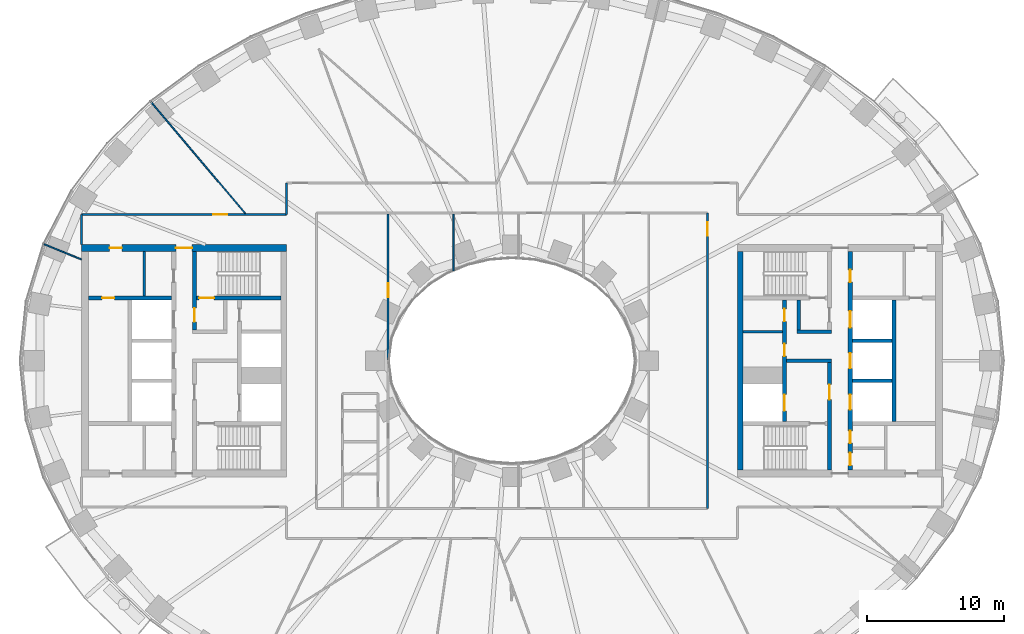
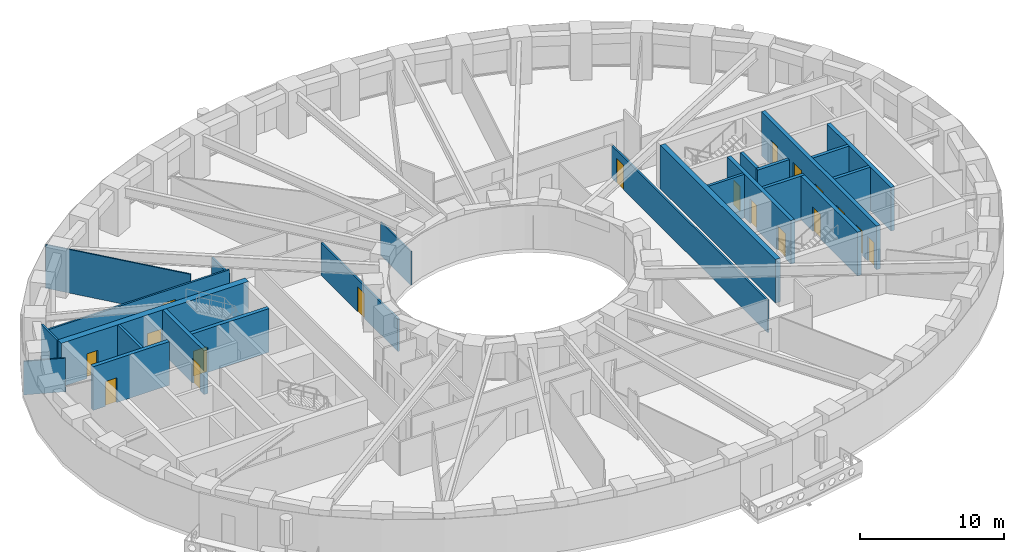
# One storey, part 5 of 16: 24 walls, 18 doors, 18 openings.
"""IFC4 building model written with IfcOpenShell, lengths in metres."""

from ifc_helpers import new_model, si_unit, direction, frame, frame_2d, origin, place, context, subcontext, project, spatial, rectangle, extrude, material, layer, layer_set, type_object, element, fill, save


model = new_model("IFC4")

# Units and contexts
model_context = context("Model", 3, precision=1e-05, world=origin(), true_north=direction((0.0, 1.0)))
body_context = subcontext(model_context, "Body", "Model", "MODEL_VIEW")
ifc_project = project(units=[si_unit("LENGTHUNIT", "METRE"), si_unit("AREAUNIT", "SQUARE_METRE"), si_unit("VOLUMEUNIT", "CUBIC_METRE"), si_unit("PLANEANGLEUNIT", "RADIAN"), si_unit("MASSUNIT", "GRAM", prefix="KILO")], contexts=[model_context])

# Site, building, storey
site_placement = place(None, origin())
site = spatial("IfcSite", under=ifc_project, at=site_placement, CompositionType="ELEMENT")
building_placement = place(site_placement, origin())
building = spatial("IfcBuilding", under=site, at=building_placement, Name="Noorbagh Ring Tower", CompositionType="ELEMENT")
storey_placement = place(building_placement, frame((0.0, 0.0, 54.5)))
storey = spatial("IfcBuildingStorey", under=building, at=storey_placement, Name="L11", CompositionType="ELEMENT", Elevation=54.5)

# Walls
ifc_material_1 = material(Name="Gypsum board on steel studs", Category="steel")
ifc_layer_1 = layer(ifc_material_1, 0.199951171875)
ifc_layer_set_1 = layer_set([ifc_layer_1], Name="Gypsum board on steel studs")
wall_type_1 = type_object("IfcWallType", Name="CORE-PARTITION-200", PredefinedType="PARTITIONING", material=ifc_layer_set_1)
wall_1_placement = place(storey_placement, frame((-26.89990234375, 4.75, 0.0), z_axis=(0.0, 0.0, 1.0), x_axis=(0.0, 1.0, 0.0)))
element("IfcWall", 1, at=wall_1_placement, inside=storey, type_object=wall_type_1, Name="Core partition W", PredefinedType="PARTITIONING", context=body_context, shape_type="SweptSolid", body=[
    extrude(rectangle(XDim=3.25, YDim=0.199951171875, at=frame_2d((1.625, 0.0))), origin(), (0.0, 0.0, 1.0), 3.699951171875),
])
wall_2_placement = place(storey_placement, frame((16.89990234375, 2.125, 0.0), z_axis=(0.0, 0.0, 1.0), x_axis=(1.0, 0.0, 0.0)))
element("IfcWall", 2, at=wall_2_placement, inside=storey, type_object=wall_type_1, Name="Core partition E", PredefinedType="PARTITIONING", context=body_context, shape_type="SweptSolid", body=[
    extrude(rectangle(XDim=2.900146484375, YDim=0.199951171875, at=frame_2d((1.4501953125, 0.0))), origin(), (0.0, 0.0, 1.0), 3.699951171875),
])
ifc_material_2 = material(Name="Concrete C70/85", Category="concrete")
ifc_layer_2 = layer(ifc_material_2, 0.25)
ifc_layer_set_2 = layer_set([ifc_layer_2], Name="Concrete C70/85")
wall_type_2 = type_object("IfcWallType", Name="CORE-WALL-250-C70-85-EI120", PredefinedType="SHEAR", material=ifc_layer_set_2)
for number, where, z_axis, x_axis, name in (
    (3, (24.89990234375, -1.47509765625, 0.0), (0.0, 0.0, 1.0), (1.0, 0.0, 0.0), "Core wall E"),
    (4, (24.89990234375, 1.47509765625, 0.0), (0.0, 0.0, 1.0), (1.0, 0.0, 0.0), "Core wall E"),
):
    element("IfcWall", number, at=place(storey_placement, frame(where, z_axis=z_axis, x_axis=x_axis)), inside=storey, type_object=wall_type_2, Name=name, PredefinedType="SHEAR", context=body_context, shape_type="SweptSolid", body=[
        extrude(rectangle(XDim=2.900146484375, YDim=0.25, at=frame_2d((1.4501953125, 0.0))), origin(), (0.0, 0.0, 1.0), 3.699951171875),
    ])
ifc_material_3 = material(Name="Concrete C70/85", Category="concrete")
ifc_layer_3 = layer(ifc_material_3, 0.25)
ifc_layer_set_3 = layer_set([ifc_layer_3], Name="Concrete C70/85")
wall_type_3 = type_object("IfcWallType", Name="CORE-WALL-250-C70-85-EI240", PredefinedType="SHEAR", material=ifc_layer_set_3)
wall_3_placement = place(storey_placement, frame((20.10009765625, 0.0, 0.0), z_axis=(0.0, 0.0, 1.0), x_axis=(1.0, 0.0, 0.0)))
element("IfcWall", 5, at=wall_3_placement, inside=storey, type_object=wall_type_3, Name="Core wall E", PredefinedType="SHEAR", context=body_context, shape_type="SweptSolid", body=[
    extrude(rectangle(XDim=3.27978515625, YDim=0.25, at=frame_2d((1.639892578125, 0.0))), origin(), (0.0, 0.0, 1.0), 3.699951171875),
])
wall_4_placement = place(storey_placement, frame((20.85009765625, 2.125, 0.0), z_axis=(0.0, 0.0, 1.0), x_axis=(1.0, 0.0, 0.0)))
element("IfcWall", 6, at=wall_4_placement, inside=storey, type_object=wall_type_3, Name="Core wall E", PredefinedType="SHEAR", context=body_context, shape_type="SweptSolid", body=[
    extrude(rectangle(XDim=2.52978515625, YDim=0.25, at=frame_2d((1.264892578125, 0.0))), origin(), (0.0, 0.0, 1.0), 3.699951171875),
])
wall_5_placement = place(storey_placement, frame((20.97509765625, 2.25, 0.0), z_axis=(0.0, 0.0, 1.0), x_axis=(0.0, 1.0, 0.0)))
element("IfcWall", 7, at=wall_5_placement, inside=storey, type_object=wall_type_3, Name="Core wall E", PredefinedType="SHEAR", context=body_context, shape_type="SweptSolid", body=[
    extrude(rectangle(XDim=2.199951171875, YDim=0.25, at=frame_2d((1.10009765625, 0.0))), origin(), (0.0, 0.0, 1.0), 3.699951171875),
])
ifc_material_4 = material(Name="Concrete C70/85", Category="concrete")
ifc_layer_4 = layer(ifc_material_4, 0.300048828125)
ifc_layer_set_4 = layer_set([ifc_layer_4], Name="Concrete C70/85")
wall_type_4 = type_object("IfcWallType", Name="CORE-WALL-300-C70-85-EI120", PredefinedType="SHEAR", material=ifc_layer_set_4)
wall_6_placement = place(storey_placement, frame((27.949951171875, -4.449951171875, 0.0), z_axis=(0.0, 0.0, 1.0), x_axis=(0.0, 1.0, 0.0)))
element("IfcWall", 8, at=wall_6_placement, inside=storey, type_object=wall_type_4, Name="Core wall E", PredefinedType="SHEAR", context=body_context, shape_type="SweptSolid", body=[
    extrude(rectangle(XDim=8.89990234375, YDim=0.300048828125, at=frame_2d((4.449951171875, 0.0))), origin(), (0.0, 0.0, 1.0), 3.699951171875),
])

# Wall, openings, doors
wall_7_placement = place(storey_placement, frame((19.949951171875, -4.449951171875, 0.0), z_axis=(0.0, 0.0, 1.0), x_axis=(0.0, 1.0, 0.0)))
wall_7 = element("IfcWall", 9, at=wall_7_placement, inside=storey, type_object=wall_type_4, Name="Core wall E", PredefinedType="SHEAR", context=body_context, shape_type="SweptSolid", body=[
    extrude(rectangle(XDim=8.89990234375, YDim=0.300048828125, at=frame_2d((4.449951171875, 0.0))), origin(), (0.0, 0.0, 1.0), 3.699951171875),
])
opening_1_placement = place(wall_7_placement, frame((0.77490234375, 0.0, 0.0)))
opening_1 = element("IfcOpeningElement", 10, at=opening_1_placement, cuts=wall_7, Name="Opening L11-CE01", PredefinedType="OPENING", context=body_context, shape_type="SweptSolid", body=[
    extrude(rectangle(XDim=1.199951171875, YDim=2.10009765625, at=frame_2d((0.60009765625, 1.050048828125))), frame((0.0, 0.16015625, 0.0), z_axis=(0.0, -1.0, 0.0), x_axis=(1.0, 0.0, 0.0)), (0.0, 0.0, 1.0), 0.320068359375),
])
opening_2_placement = place(wall_7_placement, frame((4.78759765625, 0.0, 0.0)))
opening_2 = element("IfcOpeningElement", 11, at=opening_2_placement, cuts=wall_7, Name="Opening L11-CE11", PredefinedType="OPENING", context=body_context, shape_type="SweptSolid", body=[
    extrude(rectangle(XDim=0.89990234375, YDim=2.10009765625, at=frame_2d((0.449951171875, 1.050048828125))), frame((0.0, 0.16015625, 0.0), z_axis=(0.0, -1.0, 0.0), x_axis=(1.0, 0.0, 0.0)), (0.0, 0.0, 1.0), 0.320068359375),
])
opening_3_placement = place(wall_7_placement, frame((7.33740234375, 0.0, 0.0)))
opening_3 = element("IfcOpeningElement", 12, at=opening_3_placement, cuts=wall_7, Name="Opening L11-CE12", PredefinedType="OPENING", context=body_context, shape_type="SweptSolid", body=[
    extrude(rectangle(XDim=0.89990234375, YDim=2.10009765625, at=frame_2d((0.449951171875, 1.050048828125))), frame((0.0, 0.16015625, 0.0), z_axis=(0.0, -1.0, 0.0), x_axis=(1.0, 0.0, 0.0)), (0.0, 0.0, 1.0), 0.320068359375),
])
ifc_material_5 = material(Name="Steel door leaf", Category="steel")
door_type_1 = type_object("IfcDoorType", Name="CORE-DOOR-DROOM", OperationType="SINGLE_SWING_LEFT", PredefinedType="DOOR", material=ifc_material_5)
door_1_placement = place(opening_2_placement, origin())
door_1 = element("IfcDoor", 13, at=door_1_placement, inside=storey, type_object=door_type_1, Name="Core room door L11-CE11", OperationType="SINGLE_SWING_RIGHT", OverallHeight=2.10009765625, OverallWidth=0.89990234375, PredefinedType="DOOR", context=body_context, shape_type="SweptSolid", body=[
    extrude(rectangle(XDim=0.89990234375, YDim=2.10009765625, at=frame_2d((0.449951171875, 1.050048828125))), frame((0.0, 0.02490234375, 0.0), z_axis=(0.0, -1.0, 0.0), x_axis=(1.0, 0.0, 0.0)), (0.0, 0.0, 1.0), 0.050048828125),
])
fill(opening_2, door_1)
door_2_placement = place(opening_3_placement, origin())
door_2 = element("IfcDoor", 14, at=door_2_placement, inside=storey, type_object=door_type_1, Name="Core room door L11-CE12", OperationType="SINGLE_SWING_RIGHT", OverallHeight=2.10009765625, OverallWidth=0.89990234375, PredefinedType="DOOR", context=body_context, shape_type="SweptSolid", body=[
    extrude(rectangle(XDim=0.89990234375, YDim=2.10009765625, at=frame_2d((0.449951171875, 1.050048828125))), frame((0.0, 0.02490234375, 0.0), z_axis=(0.0, -1.0, 0.0), x_axis=(1.0, 0.0, 0.0)), (0.0, 0.0, 1.0), 0.050048828125),
])
fill(opening_3, door_2)
ifc_material_6 = material(Name="Steel door leaf", Category="steel")
door_type_2 = type_object("IfcDoorType", Name="CORE-DOOR-LDW", OperationType="DOUBLE_DOOR_SLIDING", PredefinedType="DOOR", material=ifc_material_6)
door_3_placement = place(opening_1_placement, origin())
door_3 = element("IfcDoor", 15, at=door_3_placement, inside=storey, type_object=door_type_2, Name="Landing door FF2 L11-CE01", OperationType="DOUBLE_DOOR_SLIDING", OverallHeight=2.10009765625, OverallWidth=1.199951171875, PredefinedType="DOOR", context=body_context, shape_type="SweptSolid", body=[
    extrude(rectangle(XDim=1.199951171875, YDim=2.10009765625, at=frame_2d((0.60009765625, 1.050048828125))), frame((0.0, 0.02490234375, 0.0), z_axis=(0.0, -1.0, 0.0), x_axis=(1.0, 0.0, 0.0)), (0.0, 0.0, 1.0), 0.050048828125),
])
fill(opening_1, door_3)

wall_8_placement = place(storey_placement, frame((24.75, -8.0, 0.0), z_axis=(0.0, 0.0, 1.0), x_axis=(0.0, 1.0, 0.0)))
wall_8 = element("IfcWall", 16, at=wall_8_placement, inside=storey, type_object=wall_type_4, Name="Core wall E", PredefinedType="SHEAR", context=body_context, shape_type="SweptSolid", body=[
    extrude(rectangle(XDim=16.0, YDim=0.300048828125, at=frame_2d((8.0, 0.0))), origin(), (0.0, 0.0, 1.0), 3.699951171875),
])
opening_4_placement = place(wall_8_placement, frame((4.425048828125, 0.0, 0.0)))
opening_4 = element("IfcOpeningElement", 17, at=opening_4_placement, cuts=wall_8, Name="Opening L11-CE02", PredefinedType="OPENING", context=body_context, shape_type="SweptSolid", body=[
    extrude(rectangle(XDim=1.10009765625, YDim=2.10009765625, at=frame_2d((0.550048828125, 1.050048828125))), frame((0.0, 0.16015625, 0.0), z_axis=(0.0, -1.0, 0.0), x_axis=(1.0, 0.0, 0.0)), (0.0, 0.0, 1.0), 0.320068359375),
])
opening_5_placement = place(wall_8_placement, frame((7.449951171875, 0.0, 0.0)))
opening_5 = element("IfcOpeningElement", 18, at=opening_5_placement, cuts=wall_8, Name="Opening L11-CE03", PredefinedType="OPENING", context=body_context, shape_type="SweptSolid", body=[
    extrude(rectangle(XDim=1.10009765625, YDim=2.10009765625, at=frame_2d((0.550048828125, 1.050048828125))), frame((0.0, 0.16015625, 0.0), z_axis=(0.0, -1.0, 0.0), x_axis=(1.0, 0.0, 0.0)), (0.0, 0.0, 1.0), 0.320068359375),
])
opening_6_placement = place(wall_8_placement, frame((10.425048828125, 0.0, 0.0)))
opening_6 = element("IfcOpeningElement", 19, at=opening_6_placement, cuts=wall_8, Name="Opening L11-CE04", PredefinedType="OPENING", context=body_context, shape_type="SweptSolid", body=[
    extrude(rectangle(XDim=1.199951171875, YDim=2.10009765625, at=frame_2d((0.60009765625, 1.050048828125))), frame((0.0, 0.16015625, 0.0), z_axis=(0.0, -1.0, 0.0), x_axis=(1.0, 0.0, 0.0)), (0.0, 0.0, 1.0), 0.320068359375),
])
opening_7_placement = place(wall_8_placement, frame((13.75, 0.0, 0.0)))
opening_7 = element("IfcOpeningElement", 20, at=opening_7_placement, cuts=wall_8, Name="Opening L11-CE13", PredefinedType="OPENING", context=body_context, shape_type="SweptSolid", body=[
    extrude(rectangle(XDim=0.89990234375, YDim=2.10009765625, at=frame_2d((0.449951171875, 1.050048828125))), frame((0.0, 0.16015625, 0.0), z_axis=(0.0, -1.0, 0.0), x_axis=(1.0, 0.0, 0.0)), (0.0, 0.0, 1.0), 0.320068359375),
])
opening_8_placement = place(wall_8_placement, frame((1.97509765625, 0.0, 0.0)))
opening_8 = element("IfcOpeningElement", 21, at=opening_8_placement, cuts=wall_8, Name="Opening L11-CE15", PredefinedType="OPENING", context=body_context, shape_type="SweptSolid", body=[
    extrude(rectangle(XDim=0.89990234375, YDim=2.10009765625, at=frame_2d((0.449951171875, 1.050048828125))), frame((0.0, 0.16015625, 0.0), z_axis=(0.0, -1.0, 0.0), x_axis=(1.0, 0.0, 0.0)), (0.0, 0.0, 1.0), 0.320068359375),
])
opening_9_placement = place(wall_8_placement, frame((0.35009765625, 0.0, 0.0)))
opening_9 = element("IfcOpeningElement", 22, at=opening_9_placement, cuts=wall_8, Name="Opening L11-CE16", PredefinedType="OPENING", context=body_context, shape_type="SweptSolid", body=[
    extrude(rectangle(XDim=0.89990234375, YDim=2.10009765625, at=frame_2d((0.449951171875, 1.050048828125))), frame((0.0, 0.16015625, 0.0), z_axis=(0.0, -1.0, 0.0), x_axis=(1.0, 0.0, 0.0)), (0.0, 0.0, 1.0), 0.320068359375),
])
door_4_placement = place(opening_7_placement, origin())
door_4 = element("IfcDoor", 23, at=door_4_placement, inside=storey, type_object=door_type_1, Name="Core room door L11-CE13", OperationType="SINGLE_SWING_LEFT", OverallHeight=2.10009765625, OverallWidth=0.89990234375, PredefinedType="DOOR", context=body_context, shape_type="SweptSolid", body=[
    extrude(rectangle(XDim=0.89990234375, YDim=2.10009765625, at=frame_2d((0.449951171875, 1.050048828125))), frame((0.0, 0.02490234375, 0.0), z_axis=(0.0, -1.0, 0.0), x_axis=(1.0, 0.0, 0.0)), (0.0, 0.0, 1.0), 0.050048828125),
])
fill(opening_7, door_4)
door_5_placement = place(opening_8_placement, origin())
door_5 = element("IfcDoor", 24, at=door_5_placement, inside=storey, type_object=door_type_1, Name="Core room door L11-CE15", OperationType="SINGLE_SWING_LEFT", OverallHeight=2.10009765625, OverallWidth=0.89990234375, PredefinedType="DOOR", context=body_context, shape_type="SweptSolid", body=[
    extrude(rectangle(XDim=0.89990234375, YDim=2.10009765625, at=frame_2d((0.449951171875, 1.050048828125))), frame((0.0, 0.02490234375, 0.0), z_axis=(0.0, -1.0, 0.0), x_axis=(1.0, 0.0, 0.0)), (0.0, 0.0, 1.0), 0.050048828125),
])
fill(opening_8, door_5)
door_6_placement = place(opening_9_placement, origin())
door_6 = element("IfcDoor", 25, at=door_6_placement, inside=storey, type_object=door_type_1, Name="Core room door L11-CE16", OperationType="SINGLE_SWING_RIGHT", OverallHeight=2.10009765625, OverallWidth=0.89990234375, PredefinedType="DOOR", context=body_context, shape_type="SweptSolid", body=[
    extrude(rectangle(XDim=0.89990234375, YDim=2.10009765625, at=frame_2d((0.449951171875, 1.050048828125))), frame((0.0, 0.02490234375, 0.0), z_axis=(0.0, -1.0, 0.0), x_axis=(1.0, 0.0, 0.0)), (0.0, 0.0, 1.0), 0.050048828125),
])
fill(opening_9, door_6)
ifc_material_7 = material(Name="Steel door leaf", Category="steel")
door_type_3 = type_object("IfcDoorType", Name="CORE-DOOR-LD", OperationType="DOUBLE_DOOR_SLIDING", PredefinedType="DOOR", material=ifc_material_7)
door_7_placement = place(opening_4_placement, origin())
door_7 = element("IfcDoor", 26, at=door_7_placement, inside=storey, type_object=door_type_3, Name="Landing door LR3 L11-CE02", OperationType="DOUBLE_DOOR_SLIDING", OverallHeight=2.10009765625, OverallWidth=1.10009765625, PredefinedType="DOOR", context=body_context, shape_type="SweptSolid", body=[
    extrude(rectangle(XDim=1.10009765625, YDim=2.10009765625, at=frame_2d((0.550048828125, 1.050048828125))), frame((0.0, 0.02490234375, 0.0), z_axis=(0.0, -1.0, 0.0), x_axis=(1.0, 0.0, 0.0)), (0.0, 0.0, 1.0), 0.050048828125),
])
fill(opening_4, door_7)
door_8_placement = place(opening_5_placement, origin())
door_8 = element("IfcDoor", 27, at=door_8_placement, inside=storey, type_object=door_type_3, Name="Landing door LR4 L11-CE03", OperationType="DOUBLE_DOOR_SLIDING", OverallHeight=2.10009765625, OverallWidth=1.10009765625, PredefinedType="DOOR", context=body_context, shape_type="SweptSolid", body=[
    extrude(rectangle(XDim=1.10009765625, YDim=2.10009765625, at=frame_2d((0.550048828125, 1.050048828125))), frame((0.0, 0.02490234375, 0.0), z_axis=(0.0, -1.0, 0.0), x_axis=(1.0, 0.0, 0.0)), (0.0, 0.0, 1.0), 0.050048828125),
])
fill(opening_5, door_8)
door_9_placement = place(opening_6_placement, origin())
door_9 = element("IfcDoor", 28, at=door_9_placement, inside=storey, type_object=door_type_2, Name="Landing door SV2 L11-CE04", OperationType="DOUBLE_DOOR_SLIDING", OverallHeight=2.10009765625, OverallWidth=1.199951171875, PredefinedType="DOOR", context=body_context, shape_type="SweptSolid", body=[
    extrude(rectangle(XDim=1.199951171875, YDim=2.10009765625, at=frame_2d((0.60009765625, 1.050048828125))), frame((0.0, 0.02490234375, 0.0), z_axis=(0.0, -1.0, 0.0), x_axis=(1.0, 0.0, 0.0)), (0.0, 0.0, 1.0), 0.050048828125),
])
fill(opening_6, door_9)

# Wall, opening, door
ifc_material_8 = material(Name="Concrete C70/85", Category="concrete")
ifc_layer_5 = layer(ifc_material_8, 0.300048828125)
ifc_layer_set_5 = layer_set([ifc_layer_5], Name="Concrete C70/85")
wall_type_5 = type_object("IfcWallType", Name="CORE-WALL-300-C70-85-EI240", PredefinedType="SHEAR", material=ifc_layer_set_5)
wall_9_placement = place(storey_placement, frame((-24.89990234375, 4.60009765625, 0.0), z_axis=(0.0, 0.0, 1.0), x_axis=(-1.0, 0.0, 0.0)))
wall_9 = element("IfcWall", 29, at=wall_9_placement, inside=storey, type_object=wall_type_5, Name="Core wall W", PredefinedType="SHEAR", context=body_context, shape_type="SweptSolid", body=[
    extrude(rectangle(XDim=6.10009765625, YDim=0.300048828125, at=frame_2d((3.050048828125, 0.0))), origin(), (0.0, 0.0, 1.0), 3.699951171875),
])
opening_10_placement = place(wall_9_placement, frame((4.199951171875, 0.0, 0.0)))
opening_10 = element("IfcOpeningElement", 30, at=opening_10_placement, cuts=wall_9, Name="Opening L11-CW16", PredefinedType="OPENING", context=body_context, shape_type="SweptSolid", body=[
    extrude(rectangle(XDim=0.89990234375, YDim=2.10009765625, at=frame_2d((0.449951171875, 1.050048828125))), frame((0.0, 0.16015625, 0.0), z_axis=(0.0, -1.0, 0.0), x_axis=(1.0, 0.0, 0.0)), (0.0, 0.0, 1.0), 0.320068359375),
])
door_10_placement = place(opening_10_placement, origin())
door_10 = element("IfcDoor", 31, at=door_10_placement, inside=storey, type_object=door_type_1, Name="Core room door L11-CW16", OperationType="SINGLE_SWING_LEFT", OverallHeight=2.10009765625, OverallWidth=0.89990234375, PredefinedType="DOOR", context=body_context, shape_type="SweptSolid", body=[
    extrude(rectangle(XDim=0.89990234375, YDim=2.10009765625, at=frame_2d((0.449951171875, 1.050048828125))), frame((0.0, 0.02490234375, 0.0), z_axis=(0.0, -1.0, 0.0), x_axis=(1.0, 0.0, 0.0)), (0.0, 0.0, 1.0), 0.050048828125),
])
fill(opening_10, door_10)

wall_10_placement = place(storey_placement, frame((-23.22998046875, 2.25, 0.0), z_axis=(0.0, 0.0, 1.0), x_axis=(0.0, 1.0, 0.0)))
wall_10 = element("IfcWall", 32, at=wall_10_placement, inside=storey, type_object=wall_type_5, Name="Core wall W", PredefinedType="SHEAR", context=body_context, shape_type="SweptSolid", body=[
    extrude(rectangle(XDim=5.75, YDim=0.300048828125, at=frame_2d((2.875, 0.0))), origin(), (0.0, 0.0, 1.0), 3.699951171875),
])
opening_11_placement = place(wall_10_placement, frame((0.60009765625, 0.0, 0.0)))
opening_11 = element("IfcOpeningElement", 33, at=opening_11_placement, cuts=wall_10, Name="Opening L11-CW08", PredefinedType="OPENING", context=body_context, shape_type="SweptSolid", body=[
    extrude(rectangle(XDim=1.0, YDim=2.10009765625, at=frame_2d((0.5, 1.050048828125))), frame((0.0, 0.16015625, 0.0), z_axis=(0.0, -1.0, 0.0), x_axis=(1.0, 0.0, 0.0)), (0.0, 0.0, 1.0), 0.320068359375),
])
ifc_material_9 = material(Name="Steel door leaf", Category="steel")
door_type_4 = type_object("IfcDoorType", Name="CORE-DOOR-DVEST", OperationType="SINGLE_SWING_LEFT", PredefinedType="DOOR", material=ifc_material_9)
door_11_placement = place(opening_11_placement, origin())
door_11 = element("IfcDoor", 34, at=door_11_placement, inside=storey, type_object=door_type_4, Name="Stair vestibule door L11-CW08", OperationType="SINGLE_SWING_LEFT", OverallHeight=2.10009765625, OverallWidth=1.0, PredefinedType="DOOR", context=body_context, shape_type="SweptSolid", body=[
    extrude(rectangle(XDim=1.0, YDim=2.10009765625, at=frame_2d((0.5, 1.050048828125))), frame((0.0, 0.02490234375, 0.0), z_axis=(0.0, -1.0, 0.0), x_axis=(1.0, 0.0, 0.0)), (0.0, 0.0, 1.0), 0.050048828125),
])
fill(opening_11, door_11)

wall_11_placement = place(storey_placement, frame((-16.89990234375, 4.60009765625, 0.0), z_axis=(0.0, 0.0, 1.0), x_axis=(-1.0, 0.0, 0.0)))
wall_11 = element("IfcWall", 35, at=wall_11_placement, inside=storey, type_object=wall_type_5, Name="Core wall W", PredefinedType="SHEAR", context=body_context, shape_type="SweptSolid", body=[
    extrude(rectangle(XDim=6.18017578125, YDim=0.300048828125, at=frame_2d((3.090087890625, 0.0))), origin(), (0.0, 0.0, 1.0), 3.699951171875),
])
opening_12_placement = place(wall_11_placement, frame((4.89990234375, 0.0, 0.0)))
opening_12 = element("IfcOpeningElement", 36, at=opening_12_placement, cuts=wall_11, Name="Opening L11-CW05", PredefinedType="OPENING", context=body_context, shape_type="SweptSolid", body=[
    extrude(rectangle(XDim=1.10009765625, YDim=2.10009765625, at=frame_2d((0.550048828125, 1.050048828125))), frame((0.0, 0.16015625, 0.0), z_axis=(0.0, -1.0, 0.0), x_axis=(1.0, 0.0, 0.0)), (0.0, 0.0, 1.0), 0.320068359375),
])
ifc_material_10 = material(Name="Steel door leaf", Category="steel")
door_type_5 = type_object("IfcDoorType", Name="CORE-DOOR-DSTAIR", OperationType="SINGLE_SWING_LEFT", PredefinedType="DOOR", material=ifc_material_10)
door_12_placement = place(opening_12_placement, origin())
door_12 = element("IfcDoor", 37, at=door_12_placement, inside=storey, type_object=door_type_5, Name="Stair door ST1 L11-CW05", OperationType="SINGLE_SWING_RIGHT", OverallHeight=2.10009765625, OverallWidth=1.10009765625, PredefinedType="DOOR", context=body_context, shape_type="SweptSolid", body=[
    extrude(rectangle(XDim=1.10009765625, YDim=2.10009765625, at=frame_2d((0.550048828125, 1.050048828125))), frame((0.0, 0.02490234375, 0.0), z_axis=(0.0, -1.0, 0.0), x_axis=(1.0, 0.0, 0.0)), (0.0, 0.0, 1.0), 0.050048828125),
])
fill(opening_12, door_12)

wall_12_placement = place(storey_placement, frame((23.22998046875, -8.0, 0.0), z_axis=(0.0, 0.0, 1.0), x_axis=(0.0, 1.0, 0.0)))
wall_12 = element("IfcWall", 38, at=wall_12_placement, inside=storey, type_object=wall_type_5, Name="Core wall E", PredefinedType="SHEAR", context=body_context, shape_type="SweptSolid", body=[
    extrude(rectangle(XDim=7.875, YDim=0.300048828125, at=frame_2d((3.9375, 0.0))), origin(), (0.0, 0.0, 1.0), 3.699951171875),
])
opening_13_placement = place(wall_12_placement, frame((5.14990234375, 0.0, 0.0)))
opening_13 = element("IfcOpeningElement", 39, at=opening_13_placement, cuts=wall_12, Name="Opening L11-CE07", PredefinedType="OPENING", context=body_context, shape_type="SweptSolid", body=[
    extrude(rectangle(XDim=1.10009765625, YDim=2.10009765625, at=frame_2d((0.550048828125, 1.050048828125))), frame((0.0, 0.16015625, 0.0), z_axis=(0.0, -1.0, 0.0), x_axis=(1.0, 0.0, 0.0)), (0.0, 0.0, 1.0), 0.320068359375),
])
ifc_material_11 = material(Name="Steel door leaf", Category="steel")
door_type_6 = type_object("IfcDoorType", Name="CORE-DOOR-DFF", OperationType="SINGLE_SWING_LEFT", PredefinedType="DOOR", material=ifc_material_11)
door_13_placement = place(opening_13_placement, origin())
door_13 = element("IfcDoor", 40, at=door_13_placement, inside=storey, type_object=door_type_6, Name="Firefighting lobby door L11-CE07", OperationType="SINGLE_SWING_RIGHT", OverallHeight=2.10009765625, OverallWidth=1.10009765625, PredefinedType="DOOR", context=body_context, shape_type="SweptSolid", body=[
    extrude(rectangle(XDim=1.10009765625, YDim=2.10009765625, at=frame_2d((0.550048828125, 1.050048828125))), frame((0.0, 0.02490234375, 0.0), z_axis=(0.0, -1.0, 0.0), x_axis=(1.0, 0.0, 0.0)), (0.0, 0.0, 1.0), 0.050048828125),
])
fill(opening_13, door_13)

# Wall
ifc_material_12 = material(Name="Concrete C70/85", Category="concrete")
ifc_layer_6 = layer(ifc_material_12, 0.39990234375)
ifc_layer_set_6 = layer_set([ifc_layer_6], Name="Concrete C70/85")
wall_type_6 = type_object("IfcWallType", Name="CORE-WALL-400-C70-85-EI240", PredefinedType="SHEAR", material=ifc_layer_set_6)
wall_13_placement = place(storey_placement, frame((16.699951171875, -8.0, 0.0), z_axis=(0.0, 0.0, 1.0), x_axis=(0.0, 1.0, 0.0)))
element("IfcWall", 41, at=wall_13_placement, inside=storey, type_object=wall_type_6, Name="Core wall E", PredefinedType="SHEAR", context=body_context, shape_type="SweptSolid", body=[
    extrude(rectangle(XDim=16.0, YDim=0.39990234375, at=frame_2d((8.0, 0.0))), origin(), (0.0, 0.0, 1.0), 3.699951171875),
])

# Wall, openings, doors
ifc_material_13 = material(Name="Concrete C70/85", Category="concrete")
ifc_layer_7 = layer(ifc_material_13, 0.5)
ifc_layer_set_7 = layer_set([ifc_layer_7], Name="Concrete C70/85")
wall_type_7 = type_object("IfcWallType", Name="CORE-WALL-500-C70-85-EI240", PredefinedType="SHEAR", material=ifc_layer_set_7)
wall_14_placement = place(storey_placement, frame((-16.5, 8.25, 0.0), z_axis=(0.0, 0.0, 1.0), x_axis=(-1.0, 0.0, 0.0)))
wall_14 = element("IfcWall", 42, at=wall_14_placement, inside=storey, type_object=wall_type_7, Name="Core wall W", PredefinedType="SHEAR", context=body_context, shape_type="SweptSolid", body=[
    extrude(rectangle(XDim=15.0, YDim=0.5, at=frame_2d((7.5, 0.0))), origin(), (0.0, 0.0, 1.0), 3.699951171875),
])
opening_14_placement = place(wall_14_placement, frame((6.89990234375, 0.0, 0.0)))
opening_14 = element("IfcOpeningElement", 43, at=opening_14_placement, cuts=wall_14, Name="Opening L11-CW09", PredefinedType="OPENING", context=body_context, shape_type="SweptSolid", body=[
    extrude(rectangle(XDim=1.199951171875, YDim=2.10009765625, at=frame_2d((0.60009765625, 1.050048828125))), frame((0.0, 0.260009765625, 0.0), z_axis=(0.0, -1.0, 0.0), x_axis=(1.0, 0.0, 0.0)), (0.0, 0.0, 1.0), 0.52001953125),
])
opening_15_placement = place(wall_14_placement, frame((12.050048828125, 0.0, 0.0)))
opening_15 = element("IfcOpeningElement", 44, at=opening_15_placement, cuts=wall_14, Name="Opening L11-CW13", PredefinedType="OPENING", context=body_context, shape_type="SweptSolid", body=[
    extrude(rectangle(XDim=0.89990234375, YDim=2.10009765625, at=frame_2d((0.449951171875, 1.050048828125))), frame((0.0, 0.260009765625, 0.0), z_axis=(0.0, -1.0, 0.0), x_axis=(1.0, 0.0, 0.0)), (0.0, 0.0, 1.0), 0.52001953125),
])
door_14_placement = place(opening_15_placement, origin())
door_14 = element("IfcDoor", 45, at=door_14_placement, inside=storey, type_object=door_type_1, Name="Core room door L11-CW13", OperationType="SINGLE_SWING_RIGHT", OverallHeight=2.10009765625, OverallWidth=0.89990234375, PredefinedType="DOOR", context=body_context, shape_type="SweptSolid", body=[
    extrude(rectangle(XDim=0.89990234375, YDim=2.10009765625, at=frame_2d((0.449951171875, 1.050048828125))), frame((0.0, 0.02490234375, 0.0), z_axis=(0.0, -1.0, 0.0), x_axis=(1.0, 0.0, 0.0)), (0.0, 0.0, 1.0), 0.050048828125),
])
fill(opening_15, door_14)
ifc_material_14 = material(Name="Steel door leaf", Category="steel")
door_type_7 = type_object("IfcDoorType", Name="CORE-DOOR-PORT", OperationType="DOUBLE_DOOR_DOUBLE_SWING", PredefinedType="DOOR", material=ifc_material_14)
door_15_placement = place(opening_14_placement, origin())
door_15 = element("IfcDoor", 46, at=door_15_placement, inside=storey, type_object=door_type_7, Name="Core entrance door L11-CW09", OperationType="DOUBLE_DOOR_DOUBLE_SWING", OverallHeight=2.10009765625, OverallWidth=1.199951171875, PredefinedType="DOOR", context=body_context, shape_type="SweptSolid", body=[
    extrude(rectangle(XDim=1.199951171875, YDim=2.10009765625, at=frame_2d((0.60009765625, 1.050048828125))), frame((0.0, 0.02490234375, 0.0), z_axis=(0.0, -1.0, 0.0), x_axis=(1.0, 0.0, 0.0)), (0.0, 0.0, 1.0), 0.050048828125),
])
fill(opening_14, door_15)

# Wall
ifc_material_15 = material(Name="Gypsum board on steel studs", Category="steel")
ifc_layer_8 = layer(ifc_material_15, 0.14990234375)
ifc_layer_set_8 = layer_set([ifc_layer_8], Name="Gypsum board on steel studs")
wall_type_8 = type_object("IfcWallType", Name="CORRIDOR PARTITION 150 EI 30", PredefinedType="PARTITIONING", material=ifc_layer_set_8)
wall_15_placement = place(storey_placement, frame((-31.5, 8.5, 0.0), z_axis=(0.0, 0.0, 1.0), x_axis=(0.0, 1.0, 0.0)))
element("IfcWall", 47, at=wall_15_placement, inside=storey, type_object=wall_type_8, Name="L11/wall/P04", PredefinedType="PARTITIONING", context=body_context, shape_type="SweptSolid", body=[
    extrude(rectangle(XDim=2.199951171875, YDim=0.14990234375, at=frame_2d((1.10009765625, 0.0))), origin(), (0.0, 0.0, 1.0), 3.699951171875),
])

# Wall, opening, door
wall_16_placement = place(storey_placement, frame((-31.5, 10.699951171875, 0.0), z_axis=(0.0, 0.0, 1.0), x_axis=(1.0, 0.0, 0.0)))
wall_16 = element("IfcWall", 48, at=wall_16_placement, inside=storey, type_object=wall_type_8, Name="L11/wall/P05", PredefinedType="PARTITIONING", context=body_context, shape_type="SweptSolid", body=[
    extrude(rectangle(XDim=15.0, YDim=0.14990234375, at=frame_2d((7.5, 0.0))), origin(), (0.0, 0.0, 1.0), 3.10009765625),
])
opening_16_placement = place(wall_16_placement, frame((9.655029296875, 0.0, 0.0)))
opening_16 = element("IfcOpeningElement", 49, at=opening_16_placement, cuts=wall_16, Name="Opening D1", PredefinedType="OPENING", context=body_context, shape_type="SweptSolid", body=[
    extrude(rectangle(XDim=1.0, YDim=2.10009765625, at=frame_2d((0.5, 1.050048828125))), frame((0.0, 0.0849609375, 0.0), z_axis=(0.0, -1.0, 0.0), x_axis=(1.0, 0.0, 0.0)), (0.0, 0.0, 1.0), 0.169921875),
])
ifc_material_16 = material(Name="Timber, painted", Category="wood")
door_type_8 = type_object("IfcDoorType", Name="DOOR 1000 X 2100 FD30", OperationType="SINGLE_SWING_LEFT", PredefinedType="DOOR", material=ifc_material_16)
door_16_placement = place(opening_16_placement, origin())
door_16 = element("IfcDoor", 50, at=door_16_placement, inside=storey, type_object=door_type_8, Name="L11-D07", OperationType="SINGLE_SWING_LEFT", OverallHeight=2.10009765625, OverallWidth=1.0, PredefinedType="DOOR", context=body_context, shape_type="SweptSolid", body=[
    extrude(rectangle(XDim=1.0, YDim=2.10009765625, at=frame_2d((0.5, 1.050048828125))), frame((0.0, 0.02490234375, 0.0), z_axis=(0.0, -1.0, 0.0), x_axis=(1.0, 0.0, 0.0)), (0.0, 0.0, 1.0), 0.050048828125),
])
fill(opening_16, door_16)

# Wall
wall_17_placement = place(storey_placement, frame((-16.5, 10.699951171875, 0.0), z_axis=(0.0, 0.0, 1.0), x_axis=(0.0, 1.0, 0.0)))
element("IfcWall", 51, at=wall_17_placement, inside=storey, type_object=wall_type_8, Name="L11/wall/P11", PredefinedType="PARTITIONING", context=body_context, shape_type="SweptSolid", body=[
    extrude(rectangle(XDim=2.300048828125, YDim=0.14990234375, at=frame_2d((1.14990234375, 0.0))), origin(), (0.0, 0.0, 1.0), 2.75),
])

# Wall, opening, door
wall_18_placement = place(storey_placement, frame((-9.056884765625, 0.044921875, 0.0), z_axis=(0.0, 0.0, 1.0), x_axis=(0.0, 1.0, 0.0)))
wall_18 = element("IfcWall", 52, at=wall_18_placement, inside=storey, type_object=wall_type_8, Name="L11/wall/P28", PredefinedType="PARTITIONING", context=body_context, shape_type="SweptSolid", body=[
    extrude(rectangle(XDim=10.68017578125, YDim=0.14990234375, at=frame_2d((5.340087890625, 0.0))), origin(), (0.0, 0.0, 1.0), 2.75),
])
opening_17_placement = place(wall_18_placement, frame((4.610107421875, 0.0, 0.0)))
opening_17 = element("IfcOpeningElement", 53, at=opening_17_placement, cuts=wall_18, Name="Opening D1", PredefinedType="OPENING", context=body_context, shape_type="SweptSolid", body=[
    extrude(rectangle(XDim=1.0, YDim=2.10009765625, at=frame_2d((0.5, 1.050048828125))), frame((0.0, 0.0849609375, 0.0), z_axis=(0.0, -1.0, 0.0), x_axis=(1.0, 0.0, 0.0)), (0.0, 0.0, 1.0), 0.169921875),
])
door_17_placement = place(opening_17_placement, origin())
door_17 = element("IfcDoor", 54, at=door_17_placement, inside=storey, type_object=door_type_8, Name="L11-D21", OperationType="SINGLE_SWING_LEFT", OverallHeight=2.10009765625, OverallWidth=1.0, PredefinedType="DOOR", context=body_context, shape_type="SweptSolid", body=[
    extrude(rectangle(XDim=1.0, YDim=2.10009765625, at=frame_2d((0.5, 1.050048828125))), frame((0.0, 0.02490234375, 0.0), z_axis=(0.0, -1.0, 0.0), x_axis=(1.0, 0.0, 0.0)), (0.0, 0.0, 1.0), 0.050048828125),
])
fill(opening_17, door_17)

wall_19_placement = place(storey_placement, frame((14.300048828125, -10.800048828125, 0.0), z_axis=(0.0, 0.0, 1.0), x_axis=(0.0, 1.0, 0.0)))
wall_19 = element("IfcWall", 55, at=wall_19_placement, inside=storey, type_object=wall_type_8, Name="L11/wall/P52", PredefinedType="PARTITIONING", context=body_context, shape_type="SweptSolid", body=[
    extrude(rectangle(XDim=21.60009765625, YDim=0.14990234375, at=frame_2d((10.800048828125, 0.0))), origin(), (0.0, 0.0, 1.0), 2.75),
])
opening_18_placement = place(wall_19_placement, frame((19.949951171875, 0.0, 0.0)))
opening_18 = element("IfcOpeningElement", 56, at=opening_18_placement, cuts=wall_19, Name="Opening D1", PredefinedType="OPENING", context=body_context, shape_type="SweptSolid", body=[
    extrude(rectangle(XDim=1.0, YDim=2.10009765625, at=frame_2d((0.5, 1.050048828125))), frame((0.0, 0.0849609375, 0.0), z_axis=(0.0, -1.0, 0.0), x_axis=(1.0, 0.0, 0.0)), (0.0, 0.0, 1.0), 0.169921875),
])
door_18_placement = place(opening_18_placement, origin())
door_18 = element("IfcDoor", 57, at=door_18_placement, inside=storey, type_object=door_type_8, Name="L11-D27", OperationType="SINGLE_SWING_LEFT", OverallHeight=2.10009765625, OverallWidth=1.0, PredefinedType="DOOR", context=body_context, shape_type="SweptSolid", body=[
    extrude(rectangle(XDim=1.0, YDim=2.10009765625, at=frame_2d((0.5, 1.050048828125))), frame((0.0, 0.02490234375, 0.0), z_axis=(0.0, -1.0, 0.0), x_axis=(1.0, 0.0, 0.0)), (0.0, 0.0, 1.0), 0.050048828125),
])
fill(opening_18, door_18)

# Walls
ifc_material_17 = material(Name="Gypsum board on steel studs", Category="steel")
ifc_layer_9 = layer(ifc_material_17, 0.10009765625)
ifc_layer_set_9 = layer_set([ifc_layer_9], Name="Gypsum board on steel studs")
wall_type_9 = type_object("IfcWallType", Name="PARTITION 100 GYPSUM", PredefinedType="PARTITIONING", material=ifc_layer_set_9)
wall_20_placement = place(storey_placement, frame((-34.23388671875, 8.530029296875, 0.0), z_axis=(0.0, 0.0, 1.0), x_axis=(0.925344112436, -0.379128307542, 0.0)))
element("IfcWall", 58, at=wall_20_placement, inside=storey, type_object=wall_type_9, Name="L11/wall/P01", PredefinedType="PARTITIONING", context=body_context, shape_type="SweptSolid", body=[
    extrude(rectangle(XDim=2.954345703125, YDim=0.10009765625, at=frame_2d((1.47705078125, 0.0))), origin(), (0.0, 0.0, 1.0), 2.85009765625),
])
wall_21_placement = place(storey_placement, frame((-26.429931640625, 18.945068359375, 0.0), z_axis=(0.0, 0.0, 1.0), x_axis=(0.646400187952, -0.762998556365, 0.0)))
element("IfcWall", 59, at=wall_21_placement, inside=storey, type_object=wall_type_9, Name="L11/wall/P06", PredefinedType="PARTITIONING", context=body_context, shape_type="SweptSolid", body=[
    extrude(rectangle(XDim=10.703857421875, YDim=0.10009765625, at=frame_2d((5.35205078125, 0.0))), origin(), (0.0, 0.0, 1.0), 3.699951171875),
])
wall_22_placement = place(storey_placement, frame((-4.2900390625, 6.568115234375, 0.0), z_axis=(0.0, 0.0, 1.0), x_axis=(0.0, 1.0, 0.0)))
element("IfcWall", 60, at=wall_22_placement, inside=storey, type_object=wall_type_9, Name="L11/wall/P33", PredefinedType="PARTITIONING", context=body_context, shape_type="SweptSolid", body=[
    extrude(rectangle(XDim=4.156982421875, YDim=0.10009765625, at=frame_2d((2.07861328125, 0.0))), origin(), (0.0, 0.0, 1.0), 2.85009765625),
])

save(model, "model.ifc")
